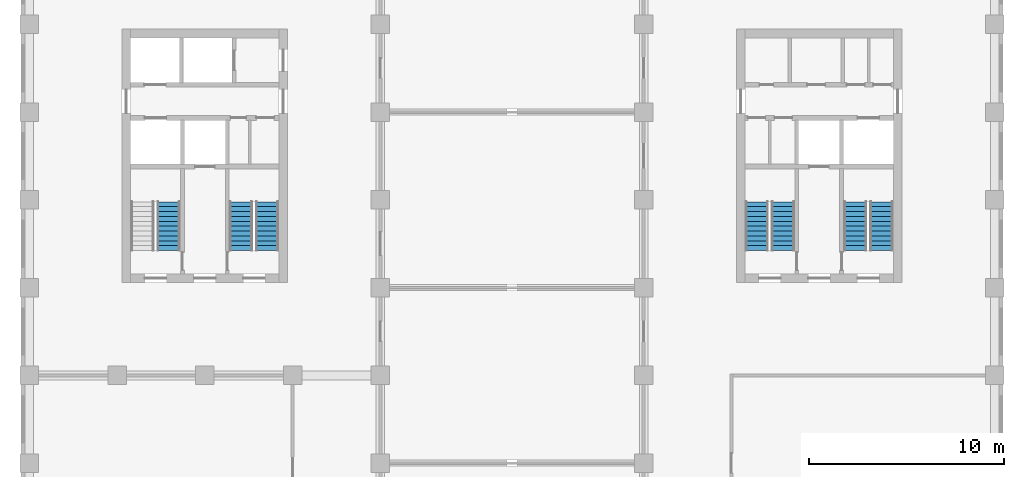
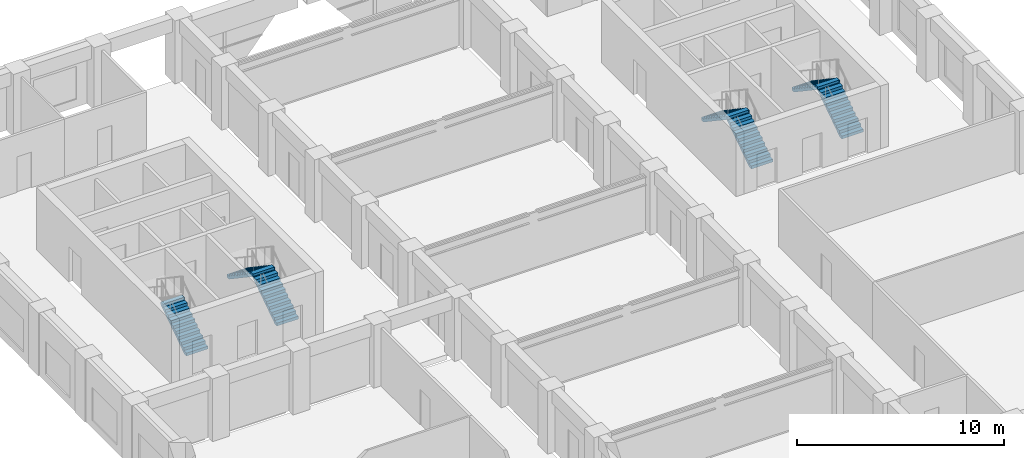
# One storey, part 11 of 14: 7 stair flights, 4 elements without a shape of their own.
"""IFC4 building model written with IfcOpenShell, lengths in metres."""

from ifc_helpers import new_model, si_unit, direction, frame, origin, place, context, subcontext, project, spatial, polyline, outline, extrude, material, type_object, element, aggregate, save


model = new_model("IFC4")

# Units and contexts
model_context = context("Model", 3, precision=1e-05, world=origin(), true_north=direction((0.0, 1.0)))
body_context = subcontext(model_context, "Body", "Model", "MODEL_VIEW")
ifc_project = project(units=[si_unit("LENGTHUNIT", "METRE"), si_unit("AREAUNIT", "SQUARE_METRE"), si_unit("VOLUMEUNIT", "CUBIC_METRE"), si_unit("PLANEANGLEUNIT", "RADIAN"), si_unit("MASSUNIT", "GRAM", prefix="KILO")], contexts=[model_context])

# Site, building, storey
site_placement = place(None, origin())
site = spatial("IfcSite", under=ifc_project, at=site_placement, CompositionType="ELEMENT")
building_placement = place(site_placement, origin())
building = spatial("IfcBuilding", under=site, at=building_placement, Name="Girih Gate Residences", CompositionType="ELEMENT")
storey_placement = place(building_placement, frame((0.0, 0.0, 172.60009765625)))
storey = spatial("IfcBuildingStorey", under=building, at=storey_placement, Name="L47", CompositionType="ELEMENT", Elevation=172.60009765625)

# Stair, stair flight
ifc_material = material(Name="Concrete C40/50", Category="concrete")
stair_type = type_object("IfcStairType", Name="Exit stair", PredefinedType="HALF_TURN_STAIR", material=ifc_material)
stair_1_placement = place(storey_placement, origin())
stair_1 = element("IfcStair", 1, at=stair_1_placement, inside=storey, type_object=stair_type, Name="L47 Exit Stair ST-W1", PredefinedType="HALF_TURN_STAIR")
stair_flight_type = type_object("IfcStairFlightType", Name="Stair flight 1200", PredefinedType="STRAIGHT", material=ifc_material)
stair_flight_1_placement = place(storey_placement, frame((7.14990234375, 28.89990234375, 0.0), z_axis=(0.0, 0.0, 1.0), x_axis=(0.0, 1.0, 0.0)))
stair_flight_1 = element("IfcStairFlight", 2, at=stair_flight_1_placement, type_object=stair_flight_type, Name="ST-W1 flight 1", NumberOfRisers=11, NumberOfTreads=10, PredefinedType="STRAIGHT", RiserHeight=0.168181818, TreadLength=0.25, context=body_context, shape_type="SweptSolid", body=[
    extrude(outline(polyline([(0.0, 0.0), (0.0, 0.168212890625), (0.25, 0.168212890625), (0.25, 0.33642578125), (0.5, 0.33642578125), (0.5, 0.504638671875), (0.75, 0.504638671875), (0.75, 0.672607421875), (1.0, 0.672607421875), (1.0, 0.8408203125), (1.25, 0.8408203125), (1.25, 1.009033203125), (1.5, 1.009033203125), (1.5, 1.17724609375), (1.75, 1.17724609375), (1.75, 1.345458984375), (2.0, 1.345458984375), (2.0, 1.513671875), (2.25, 1.513671875), (2.25, 1.681884765625), (2.5, 1.681884765625), (2.5, 1.85009765625), (2.5, 1.537109375), (0.215087890625, 0.0), (0.0, 0.0)])), frame((0.0, 0.60009765625, 0.0), z_axis=(0.0, -1.0, 0.0), x_axis=(1.0, 0.0, 0.0)), (0.0, 0.0, 1.0), 1.199951171875),
])
aggregate(stair_1, [stair_flight_1])

# Stair, stair flights
stair_2_placement = place(storey_placement, origin())
stair_2 = element("IfcStair", 3, at=stair_2_placement, inside=storey, type_object=stair_type, Name="L47 Exit Stair ST-W2", PredefinedType="HALF_TURN_STAIR")
stair_flight_2_placement = place(storey_placement, frame((12.199951171875, 28.89990234375, 0.0), z_axis=(0.0, 0.0, 1.0), x_axis=(0.0, 1.0, 0.0)))
stair_flight_2 = element("IfcStairFlight", 4, at=stair_flight_2_placement, type_object=stair_flight_type, Name="ST-W2 flight 1", NumberOfRisers=11, NumberOfTreads=10, PredefinedType="STRAIGHT", RiserHeight=0.168181818, TreadLength=0.25, context=body_context, shape_type="SweptSolid", body=[
    extrude(outline(polyline([(0.0, 0.0), (0.0, 0.168212890625), (0.25, 0.168212890625), (0.25, 0.33642578125), (0.5, 0.33642578125), (0.5, 0.504638671875), (0.75, 0.504638671875), (0.75, 0.672607421875), (1.0, 0.672607421875), (1.0, 0.8408203125), (1.25, 0.8408203125), (1.25, 1.009033203125), (1.5, 1.009033203125), (1.5, 1.17724609375), (1.75, 1.17724609375), (1.75, 1.345458984375), (2.0, 1.345458984375), (2.0, 1.513671875), (2.25, 1.513671875), (2.25, 1.681884765625), (2.5, 1.681884765625), (2.5, 1.85009765625), (2.5, 1.537109375), (0.215087890625, 0.0), (0.0, 0.0)])), frame((0.0, 0.60009765625, 0.0), z_axis=(0.0, -1.0, 0.0), x_axis=(1.0, 0.0, 0.0)), (0.0, 0.0, 1.0), 1.199951171875),
])
stair_flight_3_placement = place(storey_placement, frame((10.85009765625, 31.39990234375, 1.849853515625), z_axis=(0.0, 0.0, 1.0), x_axis=(0.0, -1.0, 0.0)))
stair_flight_3 = element("IfcStairFlight", 5, at=stair_flight_3_placement, type_object=stair_flight_type, Name="ST-W2 flight 2", NumberOfRisers=11, NumberOfTreads=10, PredefinedType="STRAIGHT", RiserHeight=0.168181818, TreadLength=0.25, context=body_context, shape_type="SweptSolid", body=[
    extrude(outline(polyline([(0.0, 0.0), (0.0, 0.168212890625), (0.25, 0.168212890625), (0.25, 0.33642578125), (0.5, 0.33642578125), (0.5, 0.504638671875), (0.75, 0.504638671875), (0.75, 0.672607421875), (1.0, 0.672607421875), (1.0, 0.8408203125), (1.25, 0.8408203125), (1.25, 1.009033203125), (1.5, 1.009033203125), (1.5, 1.17724609375), (1.75, 1.17724609375), (1.75, 1.345458984375), (2.0, 1.345458984375), (2.0, 1.513671875), (2.25, 1.513671875), (2.25, 1.681884765625), (2.5, 1.681884765625), (2.5, 1.85009765625), (2.5, 1.537109375), (0.215087890625, 0.0), (0.0, 0.0)])), frame((0.0, 0.60009765625, 0.0), z_axis=(0.0, -1.0, 0.0), x_axis=(1.0, 0.0, 0.0)), (0.0, 0.0, 1.0), 1.199951171875),
])
aggregate(stair_2, [stair_flight_2, stair_flight_3])

stair_3_placement = place(storey_placement, origin())
stair_3 = element("IfcStair", 6, at=stair_3_placement, inside=storey, type_object=stair_type, Name="L47 Exit Stair ST-E1", PredefinedType="HALF_TURN_STAIR")
stair_flight_4_placement = place(storey_placement, frame((43.699951171875, 28.89990234375, 0.0), z_axis=(0.0, 0.0, 1.0), x_axis=(0.0, 1.0, 0.0)))
stair_flight_4 = element("IfcStairFlight", 7, at=stair_flight_4_placement, type_object=stair_flight_type, Name="ST-E1 flight 1", NumberOfRisers=11, NumberOfTreads=10, PredefinedType="STRAIGHT", RiserHeight=0.168181818, TreadLength=0.25, context=body_context, shape_type="SweptSolid", body=[
    extrude(outline(polyline([(0.0, 0.0), (0.0, 0.168212890625), (0.25, 0.168212890625), (0.25, 0.33642578125), (0.5, 0.33642578125), (0.5, 0.504638671875), (0.75, 0.504638671875), (0.75, 0.672607421875), (1.0, 0.672607421875), (1.0, 0.8408203125), (1.25, 0.8408203125), (1.25, 1.009033203125), (1.5, 1.009033203125), (1.5, 1.17724609375), (1.75, 1.17724609375), (1.75, 1.345458984375), (2.0, 1.345458984375), (2.0, 1.513671875), (2.25, 1.513671875), (2.25, 1.681884765625), (2.5, 1.681884765625), (2.5, 1.85009765625), (2.5, 1.537109375), (0.215087890625, 0.0), (0.0, 0.0)])), frame((0.0, 0.60009765625, 0.0), z_axis=(0.0, -1.0, 0.0), x_axis=(1.0, 0.0, 0.0)), (0.0, 0.0, 1.0), 1.199951171875),
])
stair_flight_5_placement = place(storey_placement, frame((42.35009765625, 31.39990234375, 1.849853515625), z_axis=(0.0, 0.0, 1.0), x_axis=(0.0, -1.0, 0.0)))
stair_flight_5 = element("IfcStairFlight", 8, at=stair_flight_5_placement, type_object=stair_flight_type, Name="ST-E1 flight 2", NumberOfRisers=11, NumberOfTreads=10, PredefinedType="STRAIGHT", RiserHeight=0.168181818, TreadLength=0.25, context=body_context, shape_type="SweptSolid", body=[
    extrude(outline(polyline([(0.0, 0.0), (0.0, 0.168212890625), (0.25, 0.168212890625), (0.25, 0.33642578125), (0.5, 0.33642578125), (0.5, 0.504638671875), (0.75, 0.504638671875), (0.75, 0.672607421875), (1.0, 0.672607421875), (1.0, 0.8408203125), (1.25, 0.8408203125), (1.25, 1.009033203125), (1.5, 1.009033203125), (1.5, 1.17724609375), (1.75, 1.17724609375), (1.75, 1.345458984375), (2.0, 1.345458984375), (2.0, 1.513671875), (2.25, 1.513671875), (2.25, 1.681884765625), (2.5, 1.681884765625), (2.5, 1.85009765625), (2.5, 1.537109375), (0.215087890625, 0.0), (0.0, 0.0)])), frame((0.0, 0.60009765625, 0.0), z_axis=(0.0, -1.0, 0.0), x_axis=(1.0, 0.0, 0.0)), (0.0, 0.0, 1.0), 1.199951171875),
])
aggregate(stair_3, [stair_flight_4, stair_flight_5])

stair_4_placement = place(storey_placement, origin())
stair_4 = element("IfcStair", 9, at=stair_4_placement, inside=storey, type_object=stair_type, Name="L47 Exit Stair ST-E2", PredefinedType="HALF_TURN_STAIR")
stair_flight_6_placement = place(storey_placement, frame((38.64990234375, 28.89990234375, 0.0), z_axis=(0.0, 0.0, 1.0), x_axis=(0.0, 1.0, 0.0)))
stair_flight_6 = element("IfcStairFlight", 10, at=stair_flight_6_placement, type_object=stair_flight_type, Name="ST-E2 flight 1", NumberOfRisers=11, NumberOfTreads=10, PredefinedType="STRAIGHT", RiserHeight=0.168181818, TreadLength=0.25, context=body_context, shape_type="SweptSolid", body=[
    extrude(outline(polyline([(0.0, 0.0), (0.0, 0.168212890625), (0.25, 0.168212890625), (0.25, 0.33642578125), (0.5, 0.33642578125), (0.5, 0.504638671875), (0.75, 0.504638671875), (0.75, 0.672607421875), (1.0, 0.672607421875), (1.0, 0.8408203125), (1.25, 0.8408203125), (1.25, 1.009033203125), (1.5, 1.009033203125), (1.5, 1.17724609375), (1.75, 1.17724609375), (1.75, 1.345458984375), (2.0, 1.345458984375), (2.0, 1.513671875), (2.25, 1.513671875), (2.25, 1.681884765625), (2.5, 1.681884765625), (2.5, 1.85009765625), (2.5, 1.537109375), (0.215087890625, 0.0), (0.0, 0.0)])), frame((0.0, 0.60009765625, 0.0), z_axis=(0.0, -1.0, 0.0), x_axis=(1.0, 0.0, 0.0)), (0.0, 0.0, 1.0), 1.199951171875),
])
stair_flight_7_placement = place(storey_placement, frame((37.300048828125, 31.39990234375, 1.849853515625), z_axis=(0.0, 0.0, 1.0), x_axis=(0.0, -1.0, 0.0)))
stair_flight_7 = element("IfcStairFlight", 11, at=stair_flight_7_placement, type_object=stair_flight_type, Name="ST-E2 flight 2", NumberOfRisers=11, NumberOfTreads=10, PredefinedType="STRAIGHT", RiserHeight=0.168181818, TreadLength=0.25, context=body_context, shape_type="SweptSolid", body=[
    extrude(outline(polyline([(0.0, 0.0), (0.0, 0.168212890625), (0.25, 0.168212890625), (0.25, 0.33642578125), (0.5, 0.33642578125), (0.5, 0.504638671875), (0.75, 0.504638671875), (0.75, 0.672607421875), (1.0, 0.672607421875), (1.0, 0.8408203125), (1.25, 0.8408203125), (1.25, 1.009033203125), (1.5, 1.009033203125), (1.5, 1.17724609375), (1.75, 1.17724609375), (1.75, 1.345458984375), (2.0, 1.345458984375), (2.0, 1.513671875), (2.25, 1.513671875), (2.25, 1.681884765625), (2.5, 1.681884765625), (2.5, 1.85009765625), (2.5, 1.537109375), (0.215087890625, 0.0), (0.0, 0.0)])), frame((0.0, 0.60009765625, 0.0), z_axis=(0.0, -1.0, 0.0), x_axis=(1.0, 0.0, 0.0)), (0.0, 0.0, 1.0), 1.199951171875),
])
aggregate(stair_4, [stair_flight_6, stair_flight_7])

save(model, "model.ifc")
